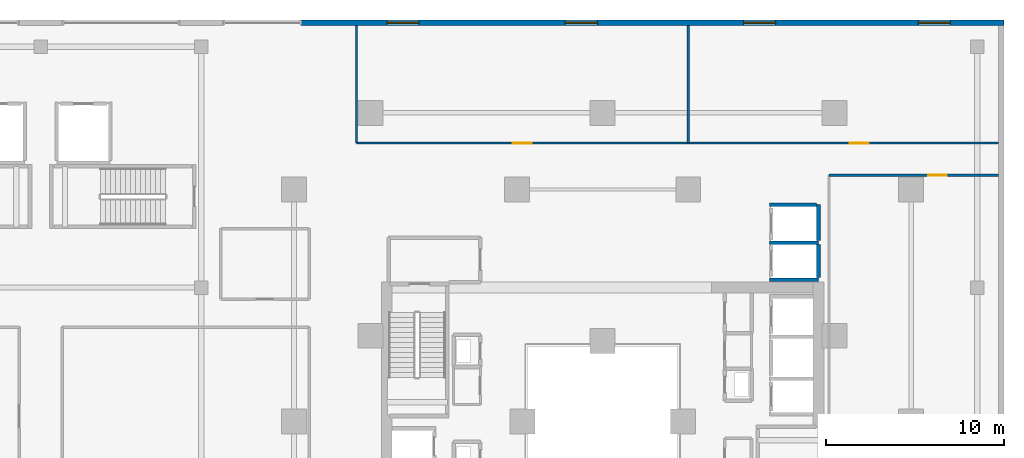
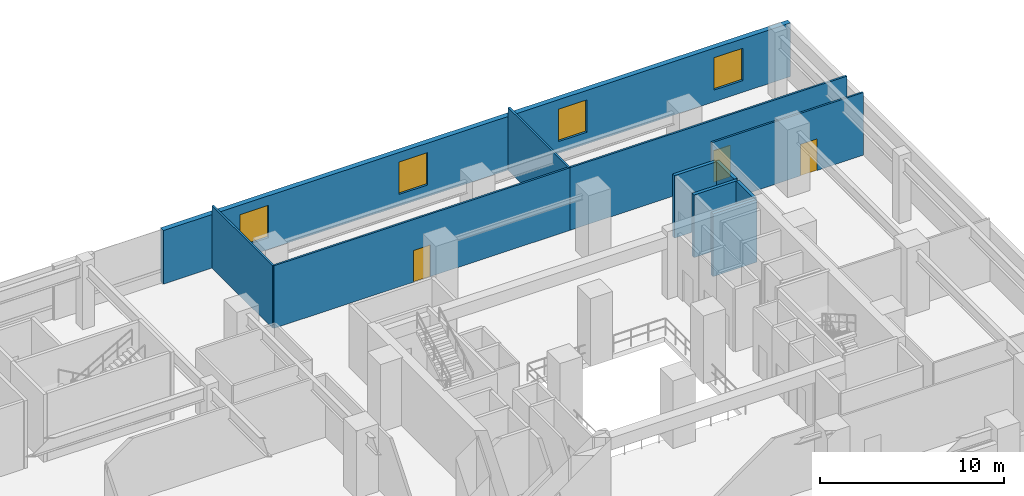
# One storey, part 18 of 24: 11 walls, 4 windows, 3 doors, 7 openings.
"""IFC4 building model written with IfcOpenShell, lengths in metres."""

import ifcopenshell
import ifcopenshell.guid

model = None  # the IFC model being written
_history = None  # IfcOwnerHistory: only IFC2X3 demands one
_inside = {}  # id of a spatial element -> (the spatial element, [elements in it])
_under = {}  # id of a project, library or spatial element -> (it, [spatial elements below it])
_declared = {}  # id of a project -> (the project, [libraries it declares])
_typed = {}  # id of a type object -> (the type object, [elements of that type])
_made_of = {}  # id of a material, layer set ... -> (it, [elements and type objects made of it])


def new_model(schema):
    """Start an empty IFC model of exactly this schema.

    Asked for "IFC4X3", IfcOpenShell would pick the latest addendum, in which some entities
    have other attributes; the version numbers below select the first issue.
    IFC2X3 requires an IfcOwnerHistory on every rooted entity: one is made here for all.
    """
    global model, _history
    if schema == "IFC4X3":
        model = ifcopenshell.file(schema_version=(4, 3, 0, 0))
    else:
        model = ifcopenshell.file(schema=schema)
    _inside.clear()
    _under.clear()
    _declared.clear()
    _typed.clear()
    _made_of.clear()
    _history = None
    if model.schema == "IFC2X3":
        org = make("IfcOrganization", Name="unknown")
        user = make(
            "IfcPersonAndOrganization",
            ThePerson=make("IfcPerson", FamilyName="unknown"),
            TheOrganization=org,
        )
        app = make(
            "IfcApplication",
            ApplicationDeveloper=org,
            Version="unknown",
            ApplicationFullName="unknown",
            ApplicationIdentifier="unknown",
        )
        _history = make(
            "IfcOwnerHistory",
            OwningUser=user,
            OwningApplication=app,
            ChangeAction="ADDED",
            CreationDate=0,
        )
    return model


def make(cls, **values):
    """One entity of the class cls with the attributes given. An attribute that is None is left unset."""
    return model.create_entity(
        cls, **{name: value for name, value in values.items() if value is not None}
    )


def rooted(cls, **values):
    """An entity with a GlobalId (a new one), such as an element, a storey or a relation."""
    return make(cls, GlobalId=ifcopenshell.guid.new(), OwnerHistory=_history, **values)


def si_unit(unit_type, name, prefix=None):
    """IfcSIUnit, for example si_unit("LENGTHUNIT", "METRE", prefix="MILLI")."""
    return make("IfcSIUnit", UnitType=unit_type, Prefix=prefix, Name=name)


def assignment(units):
    """IfcUnitAssignment: the units of a project."""
    return None if units is None else make("IfcUnitAssignment", Units=units)


def point(xyz):
    """IfcCartesianPoint."""
    return None if xyz is None else make("IfcCartesianPoint", Coordinates=xyz)


def direction(xyz):
    """IfcDirection."""
    return None if xyz is None else make("IfcDirection", DirectionRatios=xyz)


def frame(location, z_axis=None, x_axis=None):
    """IfcAxis2Placement3D, a coordinate frame: its origin and axes. An axis left out is left unset."""
    return make(
        "IfcAxis2Placement3D",
        Location=point(location),
        Axis=direction(z_axis),
        RefDirection=direction(x_axis),
    )


def frame_2d(location, x_axis=None):
    """IfcAxis2Placement2D, a coordinate frame in the plane: its origin and x axis."""
    return make(
        "IfcAxis2Placement2D", Location=point(location), RefDirection=direction(x_axis)
    )


def origin():
    """The frame at (0, 0, 0) with its axes left unset."""
    return frame((0.0, 0.0, 0.0))


def place(relative_to, where):
    """IfcLocalPlacement: puts the frame where relative to a parent placement (None: the world)."""
    return make(
        "IfcLocalPlacement", PlacementRelTo=relative_to, RelativePlacement=where
    )


def context(
    kind, dimensions, precision=None, world=None, true_north=None, identifier=None
):
    """IfcGeometricRepresentationContext, for example the 3D "Model" context."""
    return make(
        "IfcGeometricRepresentationContext",
        ContextIdentifier=identifier,
        ContextType=kind,
        CoordinateSpaceDimension=dimensions,
        Precision=precision,
        WorldCoordinateSystem=world,
        TrueNorth=true_north,
    )


def subcontext(parent, identifier, kind, view, scale=None):
    """IfcGeometricRepresentationSubContext, for example "Body" below "Model"."""
    return make(
        "IfcGeometricRepresentationSubContext",
        ContextIdentifier=identifier,
        ContextType=kind,
        ParentContext=parent,
        TargetScale=scale,
        TargetView=view,
    )


def project(units=None, contexts=None):
    """IfcProject with its units and contexts."""
    return rooted(
        "IfcProject",
        Name="project",
        RepresentationContexts=contexts,
        UnitsInContext=assignment(units),
    )


def spatial(cls, under=None, at=None, **own):
    """A site, building, storey or space (cls), placed at a placement, below another one or the project."""
    s = rooted(cls, ObjectPlacement=at, **own)
    if under is not None:
        _under.setdefault(under.id(), (under, []))[1].append(s)
    return s


def profile(cls, at=None, kind="AREA", **sizes):
    """A parametric profile (cls). Its sizes go by their IFC names, for example OverallWidth=200.0."""
    return make(cls, ProfileType=kind, Position=at, **sizes)


def rectangle(**sizes):
    """IfcRectangleProfileDef."""
    return profile("IfcRectangleProfileDef", **sizes)


def extrude(swept, where, along, depth):
    """IfcExtrudedAreaSolid: the profile swept, set in the frame where, extruded along a direction by depth."""
    return make(
        "IfcExtrudedAreaSolid",
        SweptArea=swept,
        Position=where,
        ExtrudedDirection=direction(along),
        Depth=depth,
    )


def shape(context_of_items, identifier, shape_type, items):
    """IfcShapeRepresentation: the items that make up one representation, for example the "Body"."""
    return make(
        "IfcShapeRepresentation",
        ContextOfItems=context_of_items,
        RepresentationIdentifier=identifier,
        RepresentationType=shape_type,
        Items=items,
    )


def material(Name=None, Category=None):
    """IfcMaterial."""
    return make("IfcMaterial", Name=Name, Category=Category)


def layer(
    of_material, thickness, ventilated=None, Name=None, Category=None, Priority=None
):
    """IfcMaterialLayer: one layer of a wall or slab, of a material (None: an air gap)."""
    return make(
        "IfcMaterialLayer",
        Material=of_material,
        LayerThickness=thickness,
        IsVentilated=ventilated,
        Name=Name,
        Category=Category,
        Priority=Priority,
    )


def layer_set(layers, Name=None):
    """IfcMaterialLayerSet."""
    return make("IfcMaterialLayerSet", MaterialLayers=layers, LayerSetName=Name)


def made_of(thing, what):
    """Note that an element or type object is made of a material, layer set ...; save() writes the relation."""
    if what is not None:
        _made_of.setdefault(what.id(), (what, []))[1].append(thing)
    return thing


def type_object(cls, material=None, **own):
    """A type object (cls), such as IfcWallType, which elements share."""
    return made_of(rooted(cls, **own), material)


def element(
    cls,
    number,
    at=None,
    inside=None,
    cuts=None,
    type_object=None,
    material=None,
    context=None,
    identifier="Body",
    shape_type=None,
    held_by="IfcProductDefinitionShape",
    body=None,
    shapes=None,
    **own,
):
    """One element of the class cls, such as IfcWall. Its Tag is "e" and its number.

    at: its placement. inside: the storey or other place that contains it. cuts: it is an
    opening in that element (IfcRelVoidsElement). A single representation is given by context,
    identifier, shape_type and body (its items); several are given by shapes. held_by: the class
    of the entity that holds the representations. save() writes the other relations.
    """
    e = rooted(cls, Tag="e%d" % number, ObjectPlacement=at, **own)
    if body is not None:
        shapes = [shape(context, identifier, shape_type, body)]
    if shapes is not None:
        e.Representation = make(held_by, Representations=shapes)
    if inside is not None:
        _inside.setdefault(inside.id(), (inside, []))[1].append(e)
    if cuts is not None:
        rooted(
            "IfcRelVoidsElement", RelatingBuildingElement=cuts, RelatedOpeningElement=e
        )
    if type_object is not None:
        _typed.setdefault(type_object.id(), (type_object, []))[1].append(e)
    return made_of(e, material)


def fill(opening, filler):
    """IfcRelFillsElement: the door or window that sits in an opening."""
    return rooted(
        "IfcRelFillsElement",
        RelatingOpeningElement=opening,
        RelatedBuildingElement=filler,
    )


def aggregate(whole, parts):
    """IfcRelAggregates: a whole, such as a stair, and the parts it consists of."""
    return rooted("IfcRelAggregates", RelatingObject=whole, RelatedObjects=parts)


def save(model, path):
    """Write the relations noted so far, then the file.

    IfcRelAggregates (storeys below a building ...), IfcRelContainedInSpatialStructure (elements
    in a storey), IfcRelDefinesByType, IfcRelAssociatesMaterial and IfcRelDeclares: one each for
    every whole, place, type object, material and project.
    """
    for whole, parts in _under.values():
        aggregate(whole, parts)
    for where, things in _inside.values():
        rooted(
            "IfcRelContainedInSpatialStructure",
            RelatedElements=things,
            RelatingStructure=where,
        )
    for kind, things in _typed.values():
        rooted("IfcRelDefinesByType", RelatedObjects=things, RelatingType=kind)
    for what, things in _made_of.values():
        rooted("IfcRelAssociatesMaterial", RelatedObjects=things, RelatingMaterial=what)
    for by, libraries in _declared.values():
        rooted("IfcRelDeclares", RelatingContext=by, RelatedDefinitions=libraries)
    model.write(path)


model = new_model("IFC4")

# Units and contexts
model_context = context("Model", 3, precision=1e-05, world=origin(), true_north=direction((0.0, 1.0)))
body_context = subcontext(model_context, "Body", "Model", "MODEL_VIEW")
ifc_project = project(units=[si_unit("LENGTHUNIT", "METRE"), si_unit("AREAUNIT", "SQUARE_METRE"), si_unit("VOLUMEUNIT", "CUBIC_METRE"), si_unit("PLANEANGLEUNIT", "RADIAN"), si_unit("MASSUNIT", "GRAM", prefix="KILO")], contexts=[model_context])

# Site, building, storey
site_placement = place(None, origin())
site = spatial("IfcSite", under=ifc_project, at=site_placement, CompositionType="ELEMENT")
building_placement = place(site_placement, origin())
building = spatial("IfcBuilding", under=site, at=building_placement, Name="Thornwick Lancets Civic Towers", CompositionType="ELEMENT")
storey_placement = place(building_placement, frame((0.0, 0.0, 14.10009765625)))
storey = spatial("IfcBuildingStorey", under=building, at=storey_placement, Name="L03", CompositionType="ELEMENT", Elevation=14.10009765625)

# Walls
ifc_material_1 = material(Name="Concrete blockwork C40/50", Category="masonry")
ifc_layer_1 = layer(ifc_material_1, 0.199951171875, Name="Concrete blockwork C40/50")
ifc_layer_set_1 = layer_set([ifc_layer_1], Name="Concrete blockwork C40/50")
wall_type_1 = type_object("IfcWallType", Name="WALL_COMP_200", PredefinedType="STANDARD", material=ifc_layer_set_1)
for number, where, z_axis, x_axis, name in (
    (1, (97.85205078125, 37.02490234375, 0.0), (0.0, 0.0, 1.0), (1.0, 0.0, 0.0), "L03 Hoistway Shaft Wall PL-BL2 N"),
    (2, (97.85205078125, 34.949951171875, 0.0), (0.0, 0.0, 1.0), (1.0, 0.0, 0.0), "L03 Hoistway Shaft Wall PL-BL2 S"),
):
    element("IfcWall", number, at=place(storey_placement, frame(where, z_axis=z_axis, x_axis=x_axis)), inside=storey, type_object=wall_type_1, Name=name, PredefinedType="STANDARD", context=body_context, shape_type="SweptSolid", body=[
        extrude(rectangle(XDim=2.745849609375, YDim=0.199951171875, at=frame_2d((1.373046875, 0.0))), origin(), (0.0, 0.0, 1.0), 4.159912109375),
    ])
wall_1_placement = place(storey_placement, frame((100.60009765625, 35.06201171875, 0.0), z_axis=(0.0, 0.0, 1.0), x_axis=(0.0, 1.0, 0.0)))
element("IfcWall", 3, at=wall_1_placement, inside=storey, type_object=wall_type_1, Name="L03 Hoistway Shaft Wall PL-BL2 E", PredefinedType="STANDARD", context=body_context, shape_type="SweptSolid", body=[
    extrude(rectangle(XDim=1.85595703125, YDim=0.199951171875, at=frame_2d((0.927978515625, 0.0))), origin(), (0.0, 0.0, 1.0), 4.159912109375),
])
wall_2_placement = place(storey_placement, frame((100.60009765625, 37.132080078125, 0.0), z_axis=(0.0, 0.0, 1.0), x_axis=(0.0, 1.0, 0.0)))
element("IfcWall", 4, at=wall_2_placement, inside=storey, type_object=wall_type_1, Name="L03 Hoistway Shaft Wall PL-BL2 E", PredefinedType="STANDARD", context=body_context, shape_type="SweptSolid", body=[
    extrude(rectangle(XDim=2.015869140625, YDim=0.199951171875, at=frame_2d((1.0078125, 0.0))), origin(), (0.0, 0.0, 1.0), 4.159912109375),
])
wall_3_placement = place(storey_placement, frame((97.85205078125, 39.14990234375, 0.0), z_axis=(0.0, 0.0, 1.0), x_axis=(1.0, 0.0, 0.0)))
element("IfcWall", 5, at=wall_3_placement, inside=storey, type_object=wall_type_1, Name="L03 Hoistway Shaft Wall PL-BL3 N", PredefinedType="STANDARD", context=body_context, shape_type="SweptSolid", body=[
    extrude(rectangle(XDim=2.635986328125, YDim=0.199951171875, at=frame_2d((1.31787109375, 0.0))), origin(), (0.0, 0.0, 1.0), 4.159912109375),
])

# Wall, openings, windows
ifc_material_2 = material(Name="Insulated buff terracotta rainscreen on concrete C40/50", Category="masonry")
ifc_layer_2 = layer(ifc_material_2, 0.320068359375, Name="Insulated buff terracotta rainscreen on concrete C40/50")
ifc_layer_set_2 = layer_set([ifc_layer_2], Name="Insulated buff terracotta rainscreen on concrete C40/50")
wall_type_2 = type_object("IfcWallType", Name="WALL_EXT_TERRA_320", PredefinedType="STANDARD", material=ifc_layer_set_2)
wall_4_placement = place(storey_placement, frame((111.0, 49.340087890625, 0.0), z_axis=(0.0, 0.0, 1.0), x_axis=(-1.0, 0.0, 0.0)))
wall_4 = element("IfcWall", 6, at=wall_4_placement, inside=storey, type_object=wall_type_2, Name="L03 Podium North-East Facade Wall", PredefinedType="STANDARD", context=body_context, shape_type="SweptSolid", body=[
    extrude(rectangle(XDim=39.39990234375, YDim=0.320068359375, at=frame_2d((19.699951171875, 0.0))), origin(), (0.0, 0.0, 1.0), 3.559814453125),
])
opening_1_placement = place(wall_4_placement, frame((3.0, 0.0, 0.780029296875)))
opening_1 = element("IfcOpeningElement", 7, at=opening_1_placement, cuts=wall_4, Name="Opening WP-18", PredefinedType="OPENING", context=body_context, shape_type="SweptSolid", body=[
    extrude(rectangle(XDim=1.800048828125, YDim=2.14990234375, at=frame_2d((0.89990234375, 1.074951171875))), frame((0.0, 0.169921875, 0.0), z_axis=(0.0, -1.0, 0.0), x_axis=(1.0, 0.0, 0.0)), (0.0, 0.0, 1.0), 0.340087890625),
])
opening_2_placement = place(wall_4_placement, frame((12.800048828125, 0.0, 0.780029296875)))
opening_2 = element("IfcOpeningElement", 8, at=opening_2_placement, cuts=wall_4, Name="Opening WP-18", PredefinedType="OPENING", context=body_context, shape_type="SweptSolid", body=[
    extrude(rectangle(XDim=1.800048828125, YDim=2.14990234375, at=frame_2d((0.89990234375, 1.074951171875))), frame((0.0, 0.169921875, 0.0), z_axis=(0.0, -1.0, 0.0), x_axis=(1.0, 0.0, 0.0)), (0.0, 0.0, 1.0), 0.340087890625),
])
opening_3_placement = place(wall_4_placement, frame((22.800048828125, 0.0, 0.780029296875)))
opening_3 = element("IfcOpeningElement", 9, at=opening_3_placement, cuts=wall_4, Name="Opening WP-18", PredefinedType="OPENING", context=body_context, shape_type="SweptSolid", body=[
    extrude(rectangle(XDim=1.800048828125, YDim=2.14990234375, at=frame_2d((0.89990234375, 1.074951171875))), frame((0.0, 0.169921875, 0.0), z_axis=(0.0, -1.0, 0.0), x_axis=(1.0, 0.0, 0.0)), (0.0, 0.0, 1.0), 0.340087890625),
])
opening_4_placement = place(wall_4_placement, frame((32.800048828125, 0.0, 0.780029296875)))
opening_4 = element("IfcOpeningElement", 10, at=opening_4_placement, cuts=wall_4, Name="Opening WP-18", PredefinedType="OPENING", context=body_context, shape_type="SweptSolid", body=[
    extrude(rectangle(XDim=1.800048828125, YDim=2.14990234375, at=frame_2d((0.89990234375, 1.074951171875))), frame((0.0, 0.169921875, 0.0), z_axis=(0.0, -1.0, 0.0), x_axis=(1.0, 0.0, 0.0)), (0.0, 0.0, 1.0), 0.340087890625),
])
ifc_material_3 = material(Name="Pointed lancet clear glass window", Category="glass")
window_type = type_object("IfcWindowType", Name="WIN_PODIUM_1800", PartitioningType="SINGLE_PANEL", PredefinedType="WINDOW", material=ifc_material_3)
window_1_placement = place(opening_1_placement, origin())
window_1 = element("IfcWindow", 11, at=window_1_placement, inside=storey, type_object=window_type, Name="L03 Podium Lancet Window 1", OverallHeight=2.14990234375, OverallWidth=1.800048828125, PartitioningType="SINGLE_PANEL", PredefinedType="WINDOW", context=body_context, shape_type="SweptSolid", body=[
    extrude(rectangle(XDim=1.800048828125, YDim=2.14990234375, at=frame_2d((0.89990234375, 1.074951171875))), frame((0.0, 0.030029296875, 0.0), z_axis=(0.0, -1.0, 0.0), x_axis=(1.0, 0.0, 0.0)), (0.0, 0.0, 1.0), 0.06005859375),
])
fill(opening_1, window_1)
window_2_placement = place(opening_2_placement, origin())
window_2 = element("IfcWindow", 12, at=window_2_placement, inside=storey, type_object=window_type, Name="L03 Podium Lancet Window 2", OverallHeight=2.14990234375, OverallWidth=1.800048828125, PartitioningType="SINGLE_PANEL", PredefinedType="WINDOW", context=body_context, shape_type="SweptSolid", body=[
    extrude(rectangle(XDim=1.800048828125, YDim=2.14990234375, at=frame_2d((0.89990234375, 1.074951171875))), frame((0.0, 0.030029296875, 0.0), z_axis=(0.0, -1.0, 0.0), x_axis=(1.0, 0.0, 0.0)), (0.0, 0.0, 1.0), 0.06005859375),
])
fill(opening_2, window_2)
window_3_placement = place(opening_3_placement, origin())
window_3 = element("IfcWindow", 13, at=window_3_placement, inside=storey, type_object=window_type, Name="L03 Podium Lancet Window 3", OverallHeight=2.14990234375, OverallWidth=1.800048828125, PartitioningType="SINGLE_PANEL", PredefinedType="WINDOW", context=body_context, shape_type="SweptSolid", body=[
    extrude(rectangle(XDim=1.800048828125, YDim=2.14990234375, at=frame_2d((0.89990234375, 1.074951171875))), frame((0.0, 0.030029296875, 0.0), z_axis=(0.0, -1.0, 0.0), x_axis=(1.0, 0.0, 0.0)), (0.0, 0.0, 1.0), 0.06005859375),
])
fill(opening_3, window_3)
window_4_placement = place(opening_4_placement, origin())
window_4 = element("IfcWindow", 14, at=window_4_placement, inside=storey, type_object=window_type, Name="L03 Podium Lancet Window 4", OverallHeight=2.14990234375, OverallWidth=1.800048828125, PartitioningType="SINGLE_PANEL", PredefinedType="WINDOW", context=body_context, shape_type="SweptSolid", body=[
    extrude(rectangle(XDim=1.800048828125, YDim=2.14990234375, at=frame_2d((0.89990234375, 1.074951171875))), frame((0.0, 0.030029296875, 0.0), z_axis=(0.0, -1.0, 0.0), x_axis=(1.0, 0.0, 0.0)), (0.0, 0.0, 1.0), 0.06005859375),
])
fill(opening_4, window_4)

# Wall, opening, door
ifc_material_4 = material(Name="Acoustic gypsum board partition")
ifc_layer_3 = layer(ifc_material_4, 0.1201171875, Name="Acoustic gypsum board partition")
ifc_layer_set_3 = layer_set([ifc_layer_3], Name="Acoustic gypsum board partition")
wall_type_3 = type_object("IfcWallType", Name="WALL_PART_120", PredefinedType="PARTITIONING", material=ifc_layer_set_3)
wall_5_placement = place(storey_placement, frame((101.199951171875, 40.800048828125, 0.0), z_axis=(0.0, 0.0, 1.0), x_axis=(1.0, 0.0, 0.0)))
wall_5 = element("IfcWall", 15, at=wall_5_placement, inside=storey, type_object=wall_type_3, Name="L03 Partition L03-ESUITE E2", PredefinedType="PARTITIONING", context=body_context, shape_type="SweptSolid", body=[
    extrude(rectangle(XDim=9.5, YDim=0.1201171875, at=frame_2d((4.75, 0.0))), origin(), (0.0, 0.0, 1.0), 4.159912109375),
])
opening_5_placement = place(wall_5_placement, frame((5.544921875, 0.0, 0.0)))
opening_5 = element("IfcOpeningElement", 16, at=opening_5_placement, cuts=wall_5, Name="Opening D-L03-0216", PredefinedType="OPENING", context=body_context, shape_type="SweptSolid", body=[
    extrude(rectangle(XDim=1.050048828125, YDim=2.10009765625, at=frame_2d((0.52490234375, 1.050048828125))), frame((0.0, 0.070068359375, 0.0), z_axis=(0.0, -1.0, 0.0), x_axis=(1.0, 0.0, 0.0)), (0.0, 0.0, 1.0), 0.14013671875),
])
ifc_material_5 = material(Name="Glazed European oak executive doorset")
door_type = type_object("IfcDoorType", Name="DOOR_OFFICE_1050", OperationType="NOTDEFINED", PredefinedType="DOOR", material=ifc_material_5)
door_1_placement = place(opening_5_placement, origin())
door_1 = element("IfcDoor", 17, at=door_1_placement, inside=storey, type_object=door_type, Name="L03 East Advisory Suite Door", OperationType="SINGLE_SWING_LEFT", OverallHeight=2.10009765625, OverallWidth=1.050048828125, PredefinedType="DOOR", context=body_context, shape_type="SweptSolid", body=[
    extrude(rectangle(XDim=1.050048828125, YDim=2.10009765625, at=frame_2d((0.52490234375, 1.050048828125))), frame((0.0, 0.02490234375, 0.0), z_axis=(0.0, -1.0, 0.0), x_axis=(1.0, 0.0, 0.0)), (0.0, 0.0, 1.0), 0.050048828125),
])
fill(opening_5, door_1)

# Walls
for number, where, z_axis, x_axis, name in (
    (18, (74.699951171875, 42.60009765625, 0.0), (0.0, 0.0, 1.0), (0.0, 1.0, 0.0), "L03 Partition L03-OFFNC E1"),
    (19, (93.300048828125, 49.179931640625, 0.0), (0.0, 0.0, 1.0), (0.0, -1.0, 0.0), "L03 Partition L03-OFFNC E3"),
):
    element("IfcWall", number, at=place(storey_placement, frame(where, z_axis=z_axis, x_axis=x_axis)), inside=storey, type_object=wall_type_3, Name=name, PredefinedType="PARTITIONING", context=body_context, shape_type="SweptSolid", body=[
        extrude(rectangle(XDim=6.579833984375, YDim=0.1201171875, at=frame_2d((3.2900390625, 0.0))), origin(), (0.0, 0.0, 1.0), 4.159912109375),
    ])

# Wall, opening, door
wall_6_placement = place(storey_placement, frame((93.300048828125, 42.60009765625, 0.0), z_axis=(0.0, 0.0, 1.0), x_axis=(-1.0, 0.0, 0.0)))
wall_6 = element("IfcWall", 20, at=wall_6_placement, inside=storey, type_object=wall_type_3, Name="L03 Partition L03-OFFNC E4", PredefinedType="PARTITIONING", context=body_context, shape_type="SweptSolid", body=[
    extrude(rectangle(XDim=18.60009765625, YDim=0.1201171875, at=frame_2d((9.300048828125, 0.0))), origin(), (0.0, 0.0, 1.0), 4.159912109375),
])
opening_6_placement = place(wall_6_placement, frame((8.77490234375, 0.0, 0.0)))
opening_6 = element("IfcOpeningElement", 21, at=opening_6_placement, cuts=wall_6, Name="Opening D-L03-0222", PredefinedType="OPENING", context=body_context, shape_type="SweptSolid", body=[
    extrude(rectangle(XDim=1.050048828125, YDim=2.10009765625, at=frame_2d((0.52490234375, 1.050048828125))), frame((0.0, 0.070068359375, 0.0), z_axis=(0.0, -1.0, 0.0), x_axis=(1.0, 0.0, 0.0)), (0.0, 0.0, 1.0), 0.14013671875),
])
door_2_placement = place(opening_6_placement, origin())
door_2 = element("IfcDoor", 22, at=door_2_placement, inside=storey, type_object=door_type, Name="L03 North Secretariat Division Door", OperationType="SINGLE_SWING_LEFT", OverallHeight=2.10009765625, OverallWidth=1.050048828125, PredefinedType="DOOR", context=body_context, shape_type="SweptSolid", body=[
    extrude(rectangle(XDim=1.050048828125, YDim=2.10009765625, at=frame_2d((0.52490234375, 1.050048828125))), frame((0.0, 0.02490234375, 0.0), z_axis=(0.0, -1.0, 0.0), x_axis=(1.0, 0.0, 0.0)), (0.0, 0.0, 1.0), 0.050048828125),
])
fill(opening_6, door_2)

wall_7_placement = place(storey_placement, frame((110.699951171875, 42.60009765625, 0.0), z_axis=(0.0, 0.0, 1.0), x_axis=(-1.0, 0.0, 0.0)))
wall_7 = element("IfcWall", 23, at=wall_7_placement, inside=storey, type_object=wall_type_3, Name="L03 Partition L03-OFFNE E4", PredefinedType="PARTITIONING", context=body_context, shape_type="SweptSolid", body=[
    extrude(rectangle(XDim=17.39990234375, YDim=0.1201171875, at=frame_2d((8.699951171875, 0.0))), origin(), (0.0, 0.0, 1.0), 4.159912109375),
])
opening_7_placement = place(wall_7_placement, frame((7.294921875, 0.0, 0.0)))
opening_7 = element("IfcOpeningElement", 24, at=opening_7_placement, cuts=wall_7, Name="Opening D-L03-0223", PredefinedType="OPENING", context=body_context, shape_type="SweptSolid", body=[
    extrude(rectangle(XDim=1.050048828125, YDim=2.10009765625, at=frame_2d((0.52490234375, 1.050048828125))), frame((0.0, 0.070068359375, 0.0), z_axis=(0.0, -1.0, 0.0), x_axis=(1.0, 0.0, 0.0)), (0.0, 0.0, 1.0), 0.14013671875),
])
door_3_placement = place(opening_7_placement, origin())
door_3 = element("IfcDoor", 25, at=door_3_placement, inside=storey, type_object=door_type, Name="L03 North-East Directorate Suite Door", OperationType="SINGLE_SWING_RIGHT", OverallHeight=2.10009765625, OverallWidth=1.050048828125, PredefinedType="DOOR", context=body_context, shape_type="SweptSolid", body=[
    extrude(rectangle(XDim=1.050048828125, YDim=2.10009765625, at=frame_2d((0.52490234375, 1.050048828125))), frame((0.0, 0.02490234375, 0.0), z_axis=(0.0, -1.0, 0.0), x_axis=(1.0, 0.0, 0.0)), (0.0, 0.0, 1.0), 0.050048828125),
])
fill(opening_7, door_3)

save(model, "model.ifc")
